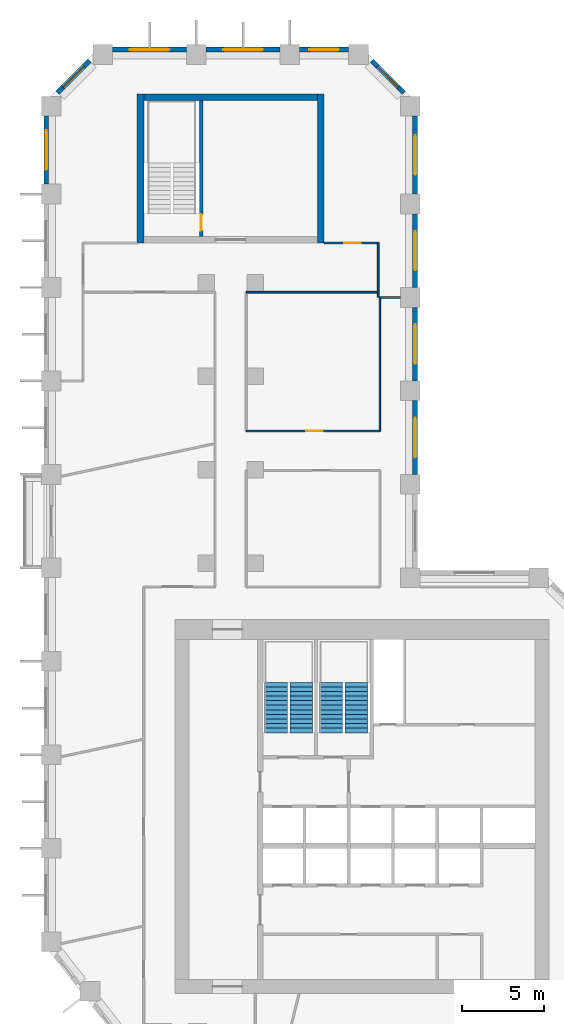
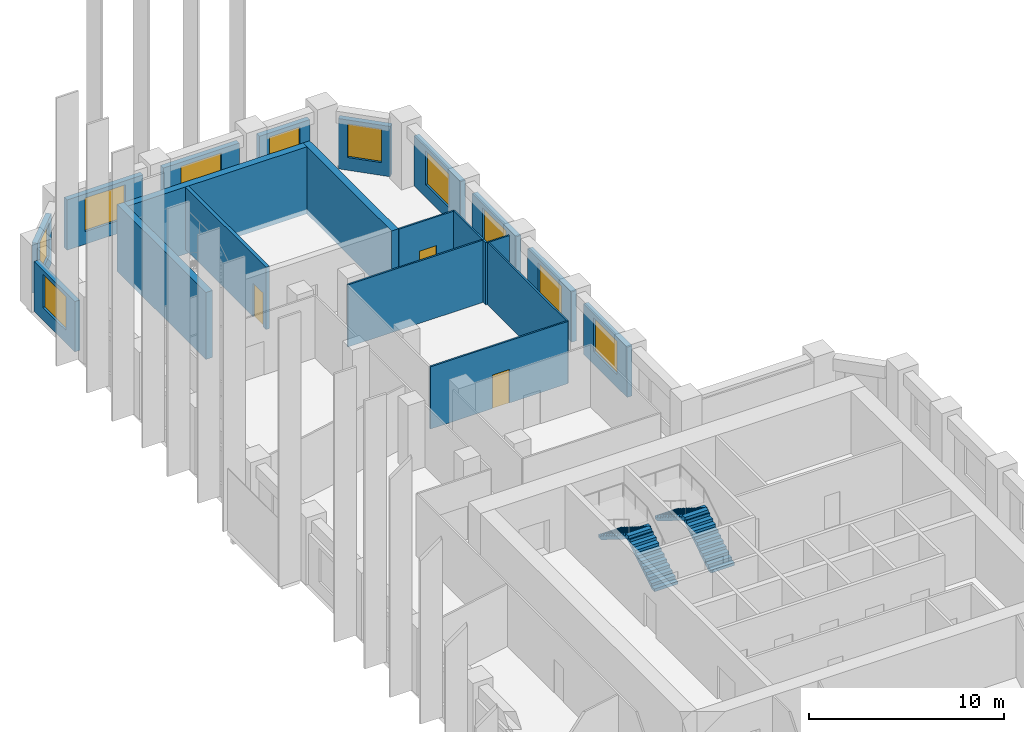
# One storey, part 8 of 10: 21 walls, 10 windows, 4 stair flights, 3 doors, 13 openings, 2 elements without a shape of their own.
"""IFC4 building model written with IfcOpenShell, lengths in metres."""

from ifc_helpers import new_model, si_unit, direction, frame, frame_2d, origin, place, context, subcontext, project, spatial, polyline, rectangle, outline, extrude, material, layer, layer_set, type_object, element, fill, aggregate, save


model = new_model("IFC4")

# Units and contexts
model_context = context("Model", 3, precision=1e-05, world=origin(), true_north=direction((0.0, 1.0)))
body_context = subcontext(model_context, "Body", "Model", "MODEL_VIEW")
ifc_project = project(units=[si_unit("LENGTHUNIT", "METRE"), si_unit("AREAUNIT", "SQUARE_METRE"), si_unit("VOLUMEUNIT", "CUBIC_METRE"), si_unit("PLANEANGLEUNIT", "RADIAN"), si_unit("MASSUNIT", "GRAM", prefix="KILO")], contexts=[model_context])

# Site, building, storey
site_placement = place(None, origin())
site = spatial("IfcSite", under=ifc_project, at=site_placement, CompositionType="ELEMENT")
building_placement = place(site_placement, origin())
building = spatial("IfcBuilding", under=site, at=building_placement, Name="Meshkara Civic Tower", CompositionType="ELEMENT")
storey_placement = place(building_placement, frame((0.0, 0.0, 178.199951171875)))
storey = spatial("IfcBuildingStorey", under=building, at=storey_placement, Name="L40", CompositionType="ELEMENT", Elevation=178.199951171875)

# Walls
ifc_material_1 = material(Name="Corridor wall 100")
ifc_layer_1 = layer(ifc_material_1, 0.10009765625)
ifc_layer_set_1 = layer_set([ifc_layer_1], Name="Corridor wall 100")
wall_type_1 = type_object("IfcWallType", Name="Corridor wall 100", PredefinedType="PARTITIONING", material=ifc_layer_set_1)
wall_1_placement = place(storey_placement, frame((12.35009765625, 56.8701171875, 0.0), z_axis=(0.0, 0.0, 1.0), x_axis=(1.0, 0.0, 0.0)))
element("IfcWall", 1, at=wall_1_placement, inside=storey, type_object=wall_type_1, Name="L40-W015", PredefinedType="PARTITIONING", context=body_context, shape_type="SweptSolid", body=[
    extrude(rectangle(XDim=8.0498046875, YDim=0.10009765625, at=frame_2d((4.02490234375, 0.0))), origin(), (0.0, 0.0, 1.0), 3.900146484375),
])
wall_2_placement = place(storey_placement, frame((20.39990234375, 56.8701171875, 0.0), z_axis=(0.0, 0.0, 1.0), x_axis=(0.0, 1.0, 0.0)))
element("IfcWall", 2, at=wall_2_placement, inside=storey, type_object=wall_type_1, Name="L40-W018", PredefinedType="PARTITIONING", context=body_context, shape_type="SweptSolid", body=[
    extrude(rectangle(XDim=3.0, YDim=0.10009765625, at=frame_2d((1.5, 0.0))), origin(), (0.0, 0.0, 1.0), 3.900146484375),
])

# Wall, opening, door
wall_3_placement = place(storey_placement, frame((20.39990234375, 59.8701171875, 0.0), z_axis=(0.0, 0.0, 1.0), x_axis=(-1.0, 0.0, 0.0)))
wall_3 = element("IfcWall", 3, at=wall_3_placement, inside=storey, type_object=wall_type_1, Name="L40-W019", PredefinedType="PARTITIONING", context=body_context, shape_type="SweptSolid", body=[
    extrude(rectangle(XDim=3.2998046875, YDim=0.10009765625, at=frame_2d((1.64990234375, 0.0))), origin(), (0.0, 0.0, 1.0), 3.900146484375),
])
opening_1_placement = place(wall_3_placement, frame((1.080078125, 0.0, 0.0)))
opening_1 = element("IfcOpeningElement", 4, at=opening_1_placement, cuts=wall_3, Name="Opening L40-D022", PredefinedType="OPENING", context=body_context, shape_type="SweptSolid", body=[
    extrude(rectangle(XDim=1.0, YDim=2.10009765625, at=frame_2d((0.5, 1.050048828125))), frame((0.0, 0.06005859375, 0.0), z_axis=(0.0, -1.0, 0.0), x_axis=(1.0, 0.0, 0.0)), (0.0, 0.0, 1.0), 0.1201171875),
])
ifc_material_2 = material(Name="Door 1000 x 2100")
door_type_1 = type_object("IfcDoorType", Name="Door 1000 x 2100", OperationType="SINGLE_SWING_LEFT", PredefinedType="DOOR", material=ifc_material_2)
door_1_placement = place(opening_1_placement, origin())
door_1 = element("IfcDoor", 5, at=door_1_placement, inside=storey, type_object=door_type_1, Name="L40-D022", OperationType="SINGLE_SWING_RIGHT", OverallHeight=2.10009765625, OverallWidth=1.0, PredefinedType="DOOR", context=body_context, shape_type="SweptSolid", body=[
    extrude(rectangle(XDim=1.0, YDim=2.10009765625, at=frame_2d((0.5, 1.050048828125))), frame((0.0, 0.02490234375, 0.0), z_axis=(0.0, -1.0, 0.0), x_axis=(1.0, 0.0, 0.0)), (0.0, 0.0, 1.0), 0.050048828125),
])
fill(opening_1, door_1)

wall_4_placement = place(storey_placement, frame((20.5, 48.39990234375, 0.0), z_axis=(0.0, 0.0, 1.0), x_axis=(-1.0, 0.0, 0.0)))
wall_4 = element("IfcWall", 6, at=wall_4_placement, inside=storey, type_object=wall_type_1, Name="L40-W022", PredefinedType="PARTITIONING", context=body_context, shape_type="SweptSolid", body=[
    extrude(rectangle(XDim=8.14990234375, YDim=0.10009765625, at=frame_2d((4.074951171875, 0.0))), origin(), (0.0, 0.0, 1.0), 3.900146484375),
])
opening_2_placement = place(wall_4_placement, frame((3.47998046875, 0.0, 0.0)))
opening_2 = element("IfcOpeningElement", 7, at=opening_2_placement, cuts=wall_4, Name="Opening L40-D019", PredefinedType="OPENING", context=body_context, shape_type="SweptSolid", body=[
    extrude(rectangle(XDim=1.0, YDim=2.10009765625, at=frame_2d((0.5, 1.050048828125))), frame((0.0, 0.06005859375, 0.0), z_axis=(0.0, -1.0, 0.0), x_axis=(1.0, 0.0, 0.0)), (0.0, 0.0, 1.0), 0.1201171875),
])
door_2_placement = place(opening_2_placement, origin())
door_2 = element("IfcDoor", 8, at=door_2_placement, inside=storey, type_object=door_type_1, Name="L40-D019", OperationType="SINGLE_SWING_RIGHT", OverallHeight=2.10009765625, OverallWidth=1.0, PredefinedType="DOOR", context=body_context, shape_type="SweptSolid", body=[
    extrude(rectangle(XDim=1.0, YDim=2.10009765625, at=frame_2d((0.5, 1.050048828125))), frame((0.0, 0.02490234375, 0.0), z_axis=(0.0, -1.0, 0.0), x_axis=(1.0, 0.0, 0.0)), (0.0, 0.0, 1.0), 0.050048828125),
])
fill(opening_2, door_2)

# Walls
wall_5_placement = place(storey_placement, frame((20.5, 56.550048828125, 0.0), z_axis=(0.0, 0.0, 1.0), x_axis=(0.0, -1.0, 0.0)))
element("IfcWall", 9, at=wall_5_placement, inside=storey, type_object=wall_type_1, Name="L40-W023", PredefinedType="PARTITIONING", context=body_context, shape_type="SweptSolid", body=[
    extrude(rectangle(XDim=8.150146484375, YDim=0.10009765625, at=frame_2d((4.0751953125, 0.0))), origin(), (0.0, 0.0, 1.0), 3.900146484375),
])
wall_6_placement = place(storey_placement, frame((21.75, 56.550048828125, 0.0), z_axis=(0.0, 0.0, 1.0), x_axis=(-1.0, 0.0, 0.0)))
element("IfcWall", 10, at=wall_6_placement, inside=storey, type_object=wall_type_1, Name="L40-W024", PredefinedType="PARTITIONING", context=body_context, shape_type="SweptSolid", body=[
    extrude(rectangle(XDim=1.25, YDim=0.10009765625, at=frame_2d((0.625, 0.0))), origin(), (0.0, 0.0, 1.0), 3.900146484375),
])

# Wall, opening, window
ifc_material_3 = material(Name="Insulated infill panel with bronze anodised aluminium cladding", Category="aluminium")
ifc_layer_2 = layer(ifc_material_3, 0.300048828125)
ifc_layer_set_2 = layer_set([ifc_layer_2], Name="EXTERNAL INFILL WALL 300")
wall_type_2 = type_object("IfcWallType", Name="EXTERNAL INFILL WALL 300", PredefinedType="SOLIDWALL", material=ifc_layer_set_2)
wall_7_placement = place(storey_placement, frame((22.64990234375, 45.75, 0.0), z_axis=(0.0, 0.0, 1.0), x_axis=(0.0, 1.0, 0.0)))
wall_7 = element("IfcWall", 11, at=wall_7_placement, inside=storey, type_object=wall_type_2, Name="External wall", PredefinedType="SOLIDWALL", context=body_context, shape_type="SweptSolid", body=[
    extrude(rectangle(XDim=4.5, YDim=0.300048828125, at=frame_2d((2.25, 0.0))), origin(), (0.0, 0.0, 1.0), 3.150146484375),
])
opening_3_placement = place(wall_7_placement, frame((1.050048828125, 0.0, 0.800048828125)))
opening_3 = element("IfcOpeningElement", 12, at=opening_3_placement, cuts=wall_7, Name="Opening W7", PredefinedType="OPENING", context=body_context, shape_type="SweptSolid", body=[
    extrude(rectangle(XDim=2.39990234375, YDim=2.10009765625, at=frame_2d((1.199951171875, 1.050048828125))), frame((0.0, 0.159912109375, 0.0), z_axis=(0.0, -1.0, 0.0), x_axis=(1.0, 0.0, 0.0)), (0.0, 0.0, 1.0), 0.320068359375),
])
ifc_material_4 = material(Name="Tinted double glazing", Category="glass")
window_type_1 = type_object("IfcWindowType", Name="WINDOW 2400x2100", PartitioningType="DOUBLE_PANEL_VERTICAL", PredefinedType="WINDOW", material=ifc_material_4)
window_1_placement = place(opening_3_placement, origin())
window_1 = element("IfcWindow", 13, at=window_1_placement, inside=storey, type_object=window_type_1, Name="Window", OverallHeight=2.10009765625, OverallWidth=2.39990234375, PartitioningType="DOUBLE_PANEL_VERTICAL", PredefinedType="WINDOW", context=body_context, shape_type="SweptSolid", body=[
    extrude(rectangle(XDim=2.39990234375, YDim=2.10009765625, at=frame_2d((1.199951171875, 1.050048828125))), frame((0.0, 0.030029296875, 0.0), z_axis=(0.0, -1.0, 0.0), x_axis=(1.0, 0.0, 0.0)), (0.0, 0.0, 1.0), 0.06005859375),
])
fill(opening_3, window_1)

wall_8_placement = place(storey_placement, frame((22.64990234375, 51.449951171875, 0.0), z_axis=(0.0, 0.0, 1.0), x_axis=(0.0, 1.0, 0.0)))
wall_8 = element("IfcWall", 14, at=wall_8_placement, inside=storey, type_object=wall_type_2, Name="External wall", PredefinedType="SOLIDWALL", context=body_context, shape_type="SweptSolid", body=[
    extrude(rectangle(XDim=4.5, YDim=0.300048828125, at=frame_2d((2.25, 0.0))), origin(), (0.0, 0.0, 1.0), 3.150146484375),
])
opening_4_placement = place(wall_8_placement, frame((1.050048828125, 0.0, 0.800048828125)))
opening_4 = element("IfcOpeningElement", 15, at=opening_4_placement, cuts=wall_8, Name="Opening W7", PredefinedType="OPENING", context=body_context, shape_type="SweptSolid", body=[
    extrude(rectangle(XDim=2.39990234375, YDim=2.10009765625, at=frame_2d((1.199951171875, 1.050048828125))), frame((0.0, 0.159912109375, 0.0), z_axis=(0.0, -1.0, 0.0), x_axis=(1.0, 0.0, 0.0)), (0.0, 0.0, 1.0), 0.320068359375),
])
window_2_placement = place(opening_4_placement, origin())
window_2 = element("IfcWindow", 16, at=window_2_placement, inside=storey, type_object=window_type_1, Name="Window", OverallHeight=2.10009765625, OverallWidth=2.39990234375, PartitioningType="DOUBLE_PANEL_VERTICAL", PredefinedType="WINDOW", context=body_context, shape_type="SweptSolid", body=[
    extrude(rectangle(XDim=2.39990234375, YDim=2.10009765625, at=frame_2d((1.199951171875, 1.050048828125))), frame((0.0, 0.030029296875, 0.0), z_axis=(0.0, -1.0, 0.0), x_axis=(1.0, 0.0, 0.0)), (0.0, 0.0, 1.0), 0.06005859375),
])
fill(opening_4, window_2)

wall_9_placement = place(storey_placement, frame((22.64990234375, 57.14990234375, 0.0), z_axis=(0.0, 0.0, 1.0), x_axis=(0.0, 1.0, 0.0)))
wall_9 = element("IfcWall", 17, at=wall_9_placement, inside=storey, type_object=wall_type_2, Name="External wall", PredefinedType="SOLIDWALL", context=body_context, shape_type="SweptSolid", body=[
    extrude(rectangle(XDim=4.5, YDim=0.300048828125, at=frame_2d((2.25, 0.0))), origin(), (0.0, 0.0, 1.0), 3.150146484375),
])
opening_5_placement = place(wall_9_placement, frame((1.050048828125, 0.0, 0.800048828125)))
opening_5 = element("IfcOpeningElement", 18, at=opening_5_placement, cuts=wall_9, Name="Opening W7", PredefinedType="OPENING", context=body_context, shape_type="SweptSolid", body=[
    extrude(rectangle(XDim=2.39990234375, YDim=2.10009765625, at=frame_2d((1.199951171875, 1.050048828125))), frame((0.0, 0.159912109375, 0.0), z_axis=(0.0, -1.0, 0.0), x_axis=(1.0, 0.0, 0.0)), (0.0, 0.0, 1.0), 0.320068359375),
])
window_3_placement = place(opening_5_placement, origin())
window_3 = element("IfcWindow", 19, at=window_3_placement, inside=storey, type_object=window_type_1, Name="Window", OverallHeight=2.10009765625, OverallWidth=2.39990234375, PartitioningType="DOUBLE_PANEL_VERTICAL", PredefinedType="WINDOW", context=body_context, shape_type="SweptSolid", body=[
    extrude(rectangle(XDim=2.39990234375, YDim=2.10009765625, at=frame_2d((1.199951171875, 1.050048828125))), frame((0.0, 0.030029296875, 0.0), z_axis=(0.0, -1.0, 0.0), x_axis=(1.0, 0.0, 0.0)), (0.0, 0.0, 1.0), 0.06005859375),
])
fill(opening_5, window_3)

wall_10_placement = place(storey_placement, frame((22.64990234375, 62.85009765625, 0.0), z_axis=(0.0, 0.0, 1.0), x_axis=(0.0, 1.0, 0.0)))
wall_10 = element("IfcWall", 20, at=wall_10_placement, inside=storey, type_object=wall_type_2, Name="External wall", PredefinedType="SOLIDWALL", context=body_context, shape_type="SweptSolid", body=[
    extrude(rectangle(XDim=4.763916015625, YDim=0.300048828125, at=frame_2d((2.3818359375, 0.0))), origin(), (0.0, 0.0, 1.0), 3.150146484375),
])
opening_6_placement = place(wall_10_placement, frame((1.181884765625, 0.0, 0.800048828125)))
opening_6 = element("IfcOpeningElement", 21, at=opening_6_placement, cuts=wall_10, Name="Opening W7", PredefinedType="OPENING", context=body_context, shape_type="SweptSolid", body=[
    extrude(rectangle(XDim=2.39990234375, YDim=2.10009765625, at=frame_2d((1.199951171875, 1.050048828125))), frame((0.0, 0.159912109375, 0.0), z_axis=(0.0, -1.0, 0.0), x_axis=(1.0, 0.0, 0.0)), (0.0, 0.0, 1.0), 0.320068359375),
])
window_4_placement = place(opening_6_placement, origin())
window_4 = element("IfcWindow", 22, at=window_4_placement, inside=storey, type_object=window_type_1, Name="Window", OverallHeight=2.10009765625, OverallWidth=2.39990234375, PartitioningType="DOUBLE_PANEL_VERTICAL", PredefinedType="WINDOW", context=body_context, shape_type="SweptSolid", body=[
    extrude(rectangle(XDim=2.39990234375, YDim=2.10009765625, at=frame_2d((1.199951171875, 1.050048828125))), frame((0.0, 0.030029296875, 0.0), z_axis=(0.0, -1.0, 0.0), x_axis=(1.0, 0.0, 0.0)), (0.0, 0.0, 1.0), 0.06005859375),
])
fill(opening_6, window_4)

wall_11_placement = place(storey_placement, frame((21.9619140625, 69.02587890625, 0.0), z_axis=(0.0, 0.0, 1.0), x_axis=(-0.707062649074, 0.707150910545, 0.0)))
wall_11 = element("IfcWall", 23, at=wall_11_placement, inside=storey, type_object=wall_type_2, Name="External wall", PredefinedType="SOLIDWALL", context=body_context, shape_type="SweptSolid", body=[
    extrude(rectangle(XDim=2.76611328125, YDim=0.300048828125, at=frame_2d((1.383056640625, 0.0))), origin(), (0.0, 0.0, 1.0), 3.150146484375),
])
opening_7_placement = place(wall_11_placement, frame((0.48291015625, 0.0, 0.800048828125)))
opening_7 = element("IfcOpeningElement", 24, at=opening_7_placement, cuts=wall_11, Name="Opening W9", PredefinedType="OPENING", context=body_context, shape_type="SweptSolid", body=[
    extrude(rectangle(XDim=1.800048828125, YDim=2.10009765625, at=frame_2d((0.89990234375, 1.050048828125))), frame((0.0, 0.159912109375, 0.0), z_axis=(0.0, -1.0, 0.0), x_axis=(1.0, 0.0, 0.0)), (0.0, 0.0, 1.0), 0.320068359375),
])
ifc_material_5 = material(Name="Tinted double glazing", Category="glass")
window_type_2 = type_object("IfcWindowType", Name="WINDOW 1800x2100", PartitioningType="DOUBLE_PANEL_VERTICAL", PredefinedType="WINDOW", material=ifc_material_5)
window_5_placement = place(opening_7_placement, origin())
window_5 = element("IfcWindow", 25, at=window_5_placement, inside=storey, type_object=window_type_2, Name="Window", OverallHeight=2.10009765625, OverallWidth=1.800048828125, PartitioningType="DOUBLE_PANEL_VERTICAL", PredefinedType="WINDOW", context=body_context, shape_type="SweptSolid", body=[
    extrude(rectangle(XDim=1.800048828125, YDim=2.10009765625, at=frame_2d((0.89990234375, 1.050048828125))), frame((0.0, 0.030029296875, 0.0), z_axis=(0.0, -1.0, 0.0), x_axis=(1.0, 0.0, 0.0)), (0.0, 0.0, 1.0), 0.06005859375),
])
fill(opening_7, window_5)

wall_12_placement = place(storey_placement, frame((18.593994140625, 71.669921875, 0.0), z_axis=(0.0, 0.0, 1.0), x_axis=(-1.0, 0.0, 0.0)))
wall_12 = element("IfcWall", 26, at=wall_12_placement, inside=storey, type_object=wall_type_2, Name="External wall", PredefinedType="SOLIDWALL", context=body_context, shape_type="SweptSolid", body=[
    extrude(rectangle(XDim=2.988037109375, YDim=0.300048828125, at=frame_2d((1.494140625, 0.0))), origin(), (0.0, 0.0, 1.0), 3.150146484375),
])
opening_8_placement = place(wall_12_placement, frame((0.593994140625, 0.0, 0.800048828125)))
opening_8 = element("IfcOpeningElement", 27, at=opening_8_placement, cuts=wall_12, Name="Opening W9", PredefinedType="OPENING", context=body_context, shape_type="SweptSolid", body=[
    extrude(rectangle(XDim=1.800048828125, YDim=2.10009765625, at=frame_2d((0.89990234375, 1.050048828125))), frame((0.0, 0.159912109375, 0.0), z_axis=(0.0, -1.0, 0.0), x_axis=(1.0, 0.0, 0.0)), (0.0, 0.0, 1.0), 0.320068359375),
])
window_6_placement = place(opening_8_placement, origin())
window_6 = element("IfcWindow", 28, at=window_6_placement, inside=storey, type_object=window_type_2, Name="Window", OverallHeight=2.10009765625, OverallWidth=1.800048828125, PartitioningType="DOUBLE_PANEL_VERTICAL", PredefinedType="WINDOW", context=body_context, shape_type="SweptSolid", body=[
    extrude(rectangle(XDim=1.800048828125, YDim=2.10009765625, at=frame_2d((0.89990234375, 1.050048828125))), frame((0.0, 0.030029296875, 0.0), z_axis=(0.0, -1.0, 0.0), x_axis=(1.0, 0.0, 0.0)), (0.0, 0.0, 1.0), 0.06005859375),
])
fill(opening_8, window_6)

wall_13_placement = place(storey_placement, frame((14.406005859375, 71.669921875, 0.0), z_axis=(0.0, 0.0, 1.0), x_axis=(-1.0, 0.0, 0.0)))
wall_13 = element("IfcWall", 29, at=wall_13_placement, inside=storey, type_object=wall_type_2, Name="External wall", PredefinedType="SOLIDWALL", context=body_context, shape_type="SweptSolid", body=[
    extrude(rectangle(XDim=4.5, YDim=0.300048828125, at=frame_2d((2.25, 0.0))), origin(), (0.0, 0.0, 1.0), 3.150146484375),
])
opening_9_placement = place(wall_13_placement, frame((1.050048828125, 0.0, 0.800048828125)))
opening_9 = element("IfcOpeningElement", 30, at=opening_9_placement, cuts=wall_13, Name="Opening W7", PredefinedType="OPENING", context=body_context, shape_type="SweptSolid", body=[
    extrude(rectangle(XDim=2.39990234375, YDim=2.10009765625, at=frame_2d((1.199951171875, 1.050048828125))), frame((0.0, 0.159912109375, 0.0), z_axis=(0.0, -1.0, 0.0), x_axis=(1.0, 0.0, 0.0)), (0.0, 0.0, 1.0), 0.320068359375),
])
window_7_placement = place(opening_9_placement, origin())
window_7 = element("IfcWindow", 31, at=window_7_placement, inside=storey, type_object=window_type_1, Name="Window", OverallHeight=2.10009765625, OverallWidth=2.39990234375, PartitioningType="DOUBLE_PANEL_VERTICAL", PredefinedType="WINDOW", context=body_context, shape_type="SweptSolid", body=[
    extrude(rectangle(XDim=2.39990234375, YDim=2.10009765625, at=frame_2d((1.199951171875, 1.050048828125))), frame((0.0, 0.030029296875, 0.0), z_axis=(0.0, -1.0, 0.0), x_axis=(1.0, 0.0, 0.0)), (0.0, 0.0, 1.0), 0.06005859375),
])
fill(opening_9, window_7)

wall_14_placement = place(storey_placement, frame((8.7060546875, 71.669921875, 0.0), z_axis=(0.0, 0.0, 1.0), x_axis=(-1.0, 0.0, 0.0)))
wall_14 = element("IfcWall", 32, at=wall_14_placement, inside=storey, type_object=wall_type_2, Name="External wall", PredefinedType="SOLIDWALL", context=body_context, shape_type="SweptSolid", body=[
    extrude(rectangle(XDim=4.5, YDim=0.300048828125, at=frame_2d((2.25, 0.0))), origin(), (0.0, 0.0, 1.0), 3.150146484375),
])
opening_10_placement = place(wall_14_placement, frame((1.050048828125, 0.0, 0.800048828125)))
opening_10 = element("IfcOpeningElement", 33, at=opening_10_placement, cuts=wall_14, Name="Opening W7", PredefinedType="OPENING", context=body_context, shape_type="SweptSolid", body=[
    extrude(rectangle(XDim=2.39990234375, YDim=2.10009765625, at=frame_2d((1.199951171875, 1.050048828125))), frame((0.0, 0.159912109375, 0.0), z_axis=(0.0, -1.0, 0.0), x_axis=(1.0, 0.0, 0.0)), (0.0, 0.0, 1.0), 0.320068359375),
])
window_8_placement = place(opening_10_placement, origin())
window_8 = element("IfcWindow", 34, at=window_8_placement, inside=storey, type_object=window_type_1, Name="Window", OverallHeight=2.10009765625, OverallWidth=2.39990234375, PartitioningType="DOUBLE_PANEL_VERTICAL", PredefinedType="WINDOW", context=body_context, shape_type="SweptSolid", body=[
    extrude(rectangle(XDim=2.39990234375, YDim=2.10009765625, at=frame_2d((1.199951171875, 1.050048828125))), frame((0.0, 0.030029296875, 0.0), z_axis=(0.0, -1.0, 0.0), x_axis=(1.0, 0.0, 0.0)), (0.0, 0.0, 1.0), 0.06005859375),
])
fill(opening_10, window_8)

wall_15_placement = place(storey_placement, frame((2.7939453125, 70.98193359375, 0.0), z_axis=(0.0, 0.0, 1.0), x_axis=(-0.707106781187, -0.707106781187, 0.0)))
wall_15 = element("IfcWall", 35, at=wall_15_placement, inside=storey, type_object=wall_type_2, Name="External wall", PredefinedType="SOLIDWALL", context=body_context, shape_type="SweptSolid", body=[
    extrude(rectangle(XDim=2.766357421875, YDim=0.300048828125, at=frame_2d((1.38330078125, 0.0))), origin(), (0.0, 0.0, 1.0), 3.150146484375),
])
opening_11_placement = place(wall_15_placement, frame((0.48291015625, 0.0, 0.800048828125)))
opening_11 = element("IfcOpeningElement", 36, at=opening_11_placement, cuts=wall_15, Name="Opening W9", PredefinedType="OPENING", context=body_context, shape_type="SweptSolid", body=[
    extrude(rectangle(XDim=1.800048828125, YDim=2.10009765625, at=frame_2d((0.89990234375, 1.050048828125))), frame((0.0, 0.159912109375, 0.0), z_axis=(0.0, -1.0, 0.0), x_axis=(1.0, 0.0, 0.0)), (0.0, 0.0, 1.0), 0.320068359375),
])
window_9_placement = place(opening_11_placement, origin())
window_9 = element("IfcWindow", 37, at=window_9_placement, inside=storey, type_object=window_type_2, Name="Window", OverallHeight=2.10009765625, OverallWidth=1.800048828125, PartitioningType="DOUBLE_PANEL_VERTICAL", PredefinedType="WINDOW", context=body_context, shape_type="SweptSolid", body=[
    extrude(rectangle(XDim=1.800048828125, YDim=2.10009765625, at=frame_2d((0.89990234375, 1.050048828125))), frame((0.0, 0.030029296875, 0.0), z_axis=(0.0, -1.0, 0.0), x_axis=(1.0, 0.0, 0.0)), (0.0, 0.0, 1.0), 0.06005859375),
])
fill(opening_11, window_9)

wall_16_placement = place(storey_placement, frame((0.14990234375, 67.614013671875, 0.0), z_axis=(0.0, 0.0, 1.0), x_axis=(0.0, -1.0, 0.0)))
wall_16 = element("IfcWall", 38, at=wall_16_placement, inside=storey, type_object=wall_type_2, Name="External wall", PredefinedType="SOLIDWALL", context=body_context, shape_type="SweptSolid", body=[
    extrude(rectangle(XDim=4.158935546875, YDim=0.300048828125, at=frame_2d((2.07958984375, 0.0))), origin(), (0.0, 0.0, 1.0), 3.150146484375),
])
opening_12_placement = place(wall_16_placement, frame((0.8798828125, 0.0, 0.800048828125)))
opening_12 = element("IfcOpeningElement", 39, at=opening_12_placement, cuts=wall_16, Name="Opening W7", PredefinedType="OPENING", context=body_context, shape_type="SweptSolid", body=[
    extrude(rectangle(XDim=2.39990234375, YDim=2.10009765625, at=frame_2d((1.199951171875, 1.050048828125))), frame((0.0, 0.159912109375, 0.0), z_axis=(0.0, -1.0, 0.0), x_axis=(1.0, 0.0, 0.0)), (0.0, 0.0, 1.0), 0.320068359375),
])
window_10_placement = place(opening_12_placement, origin())
window_10 = element("IfcWindow", 40, at=window_10_placement, inside=storey, type_object=window_type_1, Name="Window", OverallHeight=2.10009765625, OverallWidth=2.39990234375, PartitioningType="DOUBLE_PANEL_VERTICAL", PredefinedType="WINDOW", context=body_context, shape_type="SweptSolid", body=[
    extrude(rectangle(XDim=2.39990234375, YDim=2.10009765625, at=frame_2d((1.199951171875, 1.050048828125))), frame((0.0, 0.030029296875, 0.0), z_axis=(0.0, -1.0, 0.0), x_axis=(1.0, 0.0, 0.0)), (0.0, 0.0, 1.0), 0.06005859375),
])
fill(opening_12, window_10)

# Walls
ifc_material_6 = material(Name="Concrete C70", Category="concrete")
ifc_layer_3 = layer(ifc_material_6, 0.39990234375)
ifc_layer_set_3 = layer_set([ifc_layer_3], Name="End core ring wall 400 C70")
wall_type_3 = type_object("IfcWallType", Name="End core ring wall 400 C70", PredefinedType="SHEAR", material=ifc_layer_set_3)
for number, where, z_axis, x_axis, name in (
    (41, (5.89990234375, 59.8701171875, -0.300048828125), (0.0, 0.0, 1.0), (0.0, 1.0, 0.0), "L40-C022"),
    (42, (16.89990234375, 59.8701171875, -0.300048828125), (0.0, 0.0, 1.0), (0.0, 1.0, 0.0), "L40-C023"),
):
    element("IfcWall", number, at=place(storey_placement, frame(where, z_axis=z_axis, x_axis=x_axis)), inside=storey, type_object=wall_type_3, Name=name, PredefinedType="SHEAR", context=body_context, shape_type="SweptSolid", body=[
        extrude(rectangle(XDim=9.099853515625, YDim=0.39990234375, at=frame_2d((4.5498046875, 0.0))), origin(), (0.0, 0.0, 1.0), 4.2001953125),
    ])
wall_17_placement = place(storey_placement, frame((6.10009765625, 68.77001953125, -0.300048828125), z_axis=(0.0, 0.0, 1.0), x_axis=(1.0, 0.0, 0.0)))
element("IfcWall", 43, at=wall_17_placement, inside=storey, type_object=wall_type_3, Name="L40-C025", PredefinedType="SHEAR", context=body_context, shape_type="SweptSolid", body=[
    extrude(rectangle(XDim=10.599853515625, YDim=0.39990234375, at=frame_2d((5.2998046875, 0.0))), origin(), (0.0, 0.0, 1.0), 4.2001953125),
])
ifc_material_7 = material(Name="Partition 100")
ifc_layer_4 = layer(ifc_material_7, 0.10009765625)
ifc_layer_set_4 = layer_set([ifc_layer_4], Name="Partition 100")
wall_type_4 = type_object("IfcWallType", Name="Partition 100", PredefinedType="PARTITIONING", material=ifc_layer_set_4)
wall_18_placement = place(storey_placement, frame((20.39990234375, 56.550048828125, 0.0), z_axis=(0.0, 0.0, 1.0), x_axis=(0.0, 1.0, 0.0)))
element("IfcWall", 44, at=wall_18_placement, inside=storey, type_object=wall_type_4, Name="L40-W052", PredefinedType="PARTITIONING", context=body_context, shape_type="SweptSolid", body=[
    extrude(rectangle(XDim=0.323974609375, YDim=0.10009765625, at=frame_2d((0.162109375, 0.0))), origin(), (0.0, 0.0, 1.0), 3.900146484375),
])

# Wall, opening, door
ifc_material_8 = material(Name="Concrete C40/50", Category="concrete")
ifc_layer_5 = layer(ifc_material_8, 0.199951171875)
ifc_layer_set_5 = layer_set([ifc_layer_5], Name="Stair enclosure wall 200 C40/50")
wall_type_5 = type_object("IfcWallType", Name="Stair enclosure wall 200 C40/50", PredefinedType="SOLIDWALL", material=ifc_layer_set_5)
wall_19_placement = place(storey_placement, frame((9.60009765625, 60.27001953125, 0.0), z_axis=(0.0, 0.0, 1.0), x_axis=(0.0, 1.0, 0.0)))
wall_19 = element("IfcWall", 45, at=wall_19_placement, inside=storey, type_object=wall_type_5, Name="L40-C026", PredefinedType="SOLIDWALL", context=body_context, shape_type="SweptSolid", body=[
    extrude(rectangle(XDim=8.300048828125, YDim=0.199951171875, at=frame_2d((4.14990234375, 0.0))), origin(), (0.0, 0.0, 1.0), 3.900146484375),
])
opening_13_placement = place(wall_19_placement, frame((0.35009765625, 0.0, 0.0)))
opening_13 = element("IfcOpeningElement", 46, at=opening_13_placement, cuts=wall_19, Name="Opening L40-K101", PredefinedType="OPENING", context=body_context, shape_type="SweptSolid", body=[
    extrude(rectangle(XDim=1.0, YDim=2.10009765625, at=frame_2d((0.5, 1.050048828125))), frame((0.0, 0.10986328125, 0.0), z_axis=(0.0, -1.0, 0.0), x_axis=(1.0, 0.0, 0.0)), (0.0, 0.0, 1.0), 0.219970703125),
])
ifc_material_9 = material(Name="Fire-rated door leaf in steel frame", Category="steel")
door_type_2 = type_object("IfcDoorType", Name="Stair door 1000 EI 120", OperationType="SINGLE_SWING_LEFT", PredefinedType="DOOR", material=ifc_material_9)
door_3_placement = place(opening_13_placement, origin())
door_3 = element("IfcDoor", 47, at=door_3_placement, inside=storey, type_object=door_type_2, Name="L40-K101", OperationType="SINGLE_SWING_RIGHT", OverallHeight=2.10009765625, OverallWidth=1.0, PredefinedType="DOOR", context=body_context, shape_type="SweptSolid", body=[
    extrude(rectangle(XDim=1.0, YDim=2.10009765625, at=frame_2d((0.5, 1.050048828125))), frame((0.0, 0.02490234375, 0.0), z_axis=(0.0, -1.0, 0.0), x_axis=(1.0, 0.0, 0.0)), (0.0, 0.0, 1.0), 0.050048828125),
])
fill(opening_13, door_3)

# Stair, stair flights
ifc_material_10 = material(Name="Precast concrete C40/50", Category="concrete")
stair_type = type_object("IfcStairType", Name="Exit stair half-turn 24 risers precast", PredefinedType="HALF_TURN_STAIR", material=ifc_material_10)
stair_1_placement = place(storey_placement, origin())
stair_1 = element("IfcStair", 48, at=stair_1_placement, inside=storey, type_object=stair_type, Name="L40 exit stair 1", PredefinedType="HALF_TURN_STAIR")
ifc_material_11 = material(Name="Precast concrete C40/50", Category="concrete")
stair_flight_type = type_object("IfcStairFlightType", Name="Exit stair flight 12 risers precast", PredefinedType="STRAIGHT", material=ifc_material_11)
stair_flight_1_placement = place(storey_placement, frame((15.72509765625, 30.0, 0.0), z_axis=(0.0, 0.0, 1.0), x_axis=(0.0, 1.0, 0.0)))
stair_flight_1 = element("IfcStairFlight", 49, at=stair_flight_1_placement, type_object=stair_flight_type, Name="ST1 flight 1", NumberOfRisers=12, NumberOfTreads=11, PredefinedType="STRAIGHT", RiserHeight=0.175, TreadLength=0.28, context=body_context, shape_type="SweptSolid", body=[
    extrude(outline(polyline([(0.0, 0.0), (0.0, 0.175048828125), (0.280029296875, 0.175048828125), (0.280029296875, 0.35009765625), (0.56005859375, 0.35009765625), (0.56005859375, 0.52490234375), (0.840087890625, 0.52490234375), (0.840087890625, 0.699951171875), (1.1201171875, 0.699951171875), (1.1201171875, 0.875), (1.39990234375, 0.875), (1.39990234375, 1.050048828125), (1.679931640625, 1.050048828125), (1.679931640625, 1.22509765625), (1.9599609375, 1.22509765625), (1.9599609375, 1.39990234375), (2.239990234375, 1.39990234375), (2.239990234375, 1.574951171875), (2.52001953125, 1.574951171875), (2.52001953125, 1.75), (2.800048828125, 1.75), (2.800048828125, 1.925048828125), (3.080078125, 1.925048828125), (3.080078125, 2.10009765625), (3.080078125, 1.748291015625), (0.28271484375, 0.0), (0.0, 0.0)])), frame((0.0, 0.699951171875, 0.0), z_axis=(0.0, -1.0, 0.0), x_axis=(1.0, 0.0, 0.0)), (0.0, 0.0, 1.0), 1.39990234375),
])
stair_flight_2_placement = place(storey_placement, frame((14.175048828125, 33.080078125, 2.10009765625), z_axis=(0.0, 0.0, 1.0), x_axis=(0.0, -1.0, 0.0)))
stair_flight_2 = element("IfcStairFlight", 50, at=stair_flight_2_placement, type_object=stair_flight_type, Name="ST1 flight 2", NumberOfRisers=12, NumberOfTreads=11, PredefinedType="STRAIGHT", RiserHeight=0.175, TreadLength=0.28, context=body_context, shape_type="SweptSolid", body=[
    extrude(outline(polyline([(0.0, 0.0), (0.0, 0.175048828125), (0.280029296875, 0.175048828125), (0.280029296875, 0.35009765625), (0.56005859375, 0.35009765625), (0.56005859375, 0.52490234375), (0.840087890625, 0.52490234375), (0.840087890625, 0.699951171875), (1.1201171875, 0.699951171875), (1.1201171875, 0.875), (1.39990234375, 0.875), (1.39990234375, 1.050048828125), (1.679931640625, 1.050048828125), (1.679931640625, 1.22509765625), (1.9599609375, 1.22509765625), (1.9599609375, 1.39990234375), (2.239990234375, 1.39990234375), (2.239990234375, 1.574951171875), (2.52001953125, 1.574951171875), (2.52001953125, 1.75), (2.800048828125, 1.75), (2.800048828125, 1.925048828125), (3.080078125, 1.925048828125), (3.080078125, 2.10009765625), (3.080078125, 1.748291015625), (0.28271484375, 0.0), (0.0, 0.0)])), frame((0.0, 0.699951171875, 0.0), z_axis=(0.0, -1.0, 0.0), x_axis=(1.0, 0.0, 0.0)), (0.0, 0.0, 1.0), 1.39990234375),
])
aggregate(stair_1, [stair_flight_1, stair_flight_2])

stair_2_placement = place(storey_placement, origin())
stair_2 = element("IfcStair", 51, at=stair_2_placement, inside=storey, type_object=stair_type, Name="L40 exit stair 2", PredefinedType="HALF_TURN_STAIR")
stair_flight_3_placement = place(storey_placement, frame((19.074951171875, 30.0, 0.0), z_axis=(0.0, 0.0, 1.0), x_axis=(0.0, 1.0, 0.0)))
stair_flight_3 = element("IfcStairFlight", 52, at=stair_flight_3_placement, type_object=stair_flight_type, Name="ST2 flight 1", NumberOfRisers=12, NumberOfTreads=11, PredefinedType="STRAIGHT", RiserHeight=0.175, TreadLength=0.28, context=body_context, shape_type="SweptSolid", body=[
    extrude(outline(polyline([(0.0, 0.0), (0.0, 0.175048828125), (0.280029296875, 0.175048828125), (0.280029296875, 0.35009765625), (0.56005859375, 0.35009765625), (0.56005859375, 0.52490234375), (0.840087890625, 0.52490234375), (0.840087890625, 0.699951171875), (1.1201171875, 0.699951171875), (1.1201171875, 0.875), (1.39990234375, 0.875), (1.39990234375, 1.050048828125), (1.679931640625, 1.050048828125), (1.679931640625, 1.22509765625), (1.9599609375, 1.22509765625), (1.9599609375, 1.39990234375), (2.239990234375, 1.39990234375), (2.239990234375, 1.574951171875), (2.52001953125, 1.574951171875), (2.52001953125, 1.75), (2.800048828125, 1.75), (2.800048828125, 1.925048828125), (3.080078125, 1.925048828125), (3.080078125, 2.10009765625), (3.080078125, 1.748291015625), (0.28271484375, 0.0), (0.0, 0.0)])), frame((0.0, 0.699951171875, 0.0), z_axis=(0.0, -1.0, 0.0), x_axis=(1.0, 0.0, 0.0)), (0.0, 0.0, 1.0), 1.39990234375),
])
stair_flight_4_placement = place(storey_placement, frame((17.52490234375, 33.080078125, 2.10009765625), z_axis=(0.0, 0.0, 1.0), x_axis=(0.0, -1.0, 0.0)))
stair_flight_4 = element("IfcStairFlight", 53, at=stair_flight_4_placement, type_object=stair_flight_type, Name="ST2 flight 2", NumberOfRisers=12, NumberOfTreads=11, PredefinedType="STRAIGHT", RiserHeight=0.175, TreadLength=0.28, context=body_context, shape_type="SweptSolid", body=[
    extrude(outline(polyline([(0.0, 0.0), (0.0, 0.175048828125), (0.280029296875, 0.175048828125), (0.280029296875, 0.35009765625), (0.56005859375, 0.35009765625), (0.56005859375, 0.52490234375), (0.840087890625, 0.52490234375), (0.840087890625, 0.699951171875), (1.1201171875, 0.699951171875), (1.1201171875, 0.875), (1.39990234375, 0.875), (1.39990234375, 1.050048828125), (1.679931640625, 1.050048828125), (1.679931640625, 1.22509765625), (1.9599609375, 1.22509765625), (1.9599609375, 1.39990234375), (2.239990234375, 1.39990234375), (2.239990234375, 1.574951171875), (2.52001953125, 1.574951171875), (2.52001953125, 1.75), (2.800048828125, 1.75), (2.800048828125, 1.925048828125), (3.080078125, 1.925048828125), (3.080078125, 2.10009765625), (3.080078125, 1.748291015625), (0.28271484375, 0.0), (0.0, 0.0)])), frame((0.0, 0.699951171875, 0.0), z_axis=(0.0, -1.0, 0.0), x_axis=(1.0, 0.0, 0.0)), (0.0, 0.0, 1.0), 1.39990234375),
])
aggregate(stair_2, [stair_flight_3, stair_flight_4])

save(model, "model.ifc")
